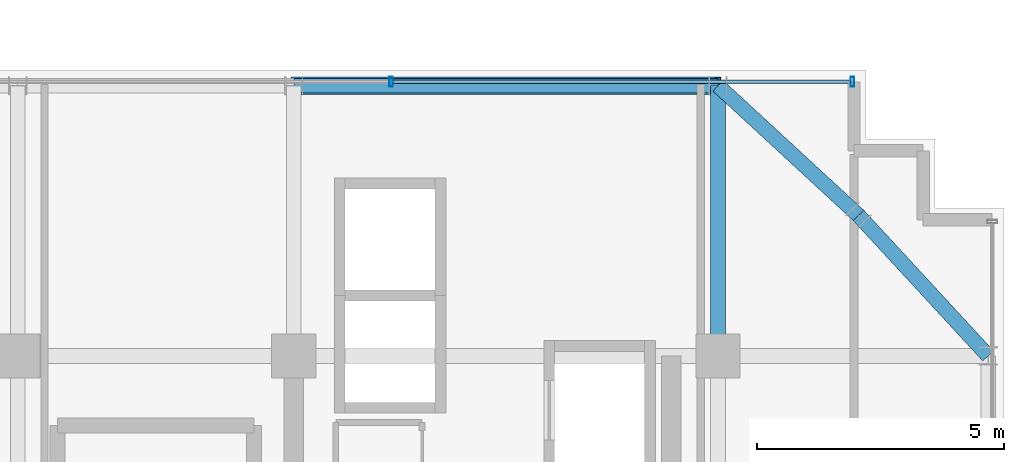
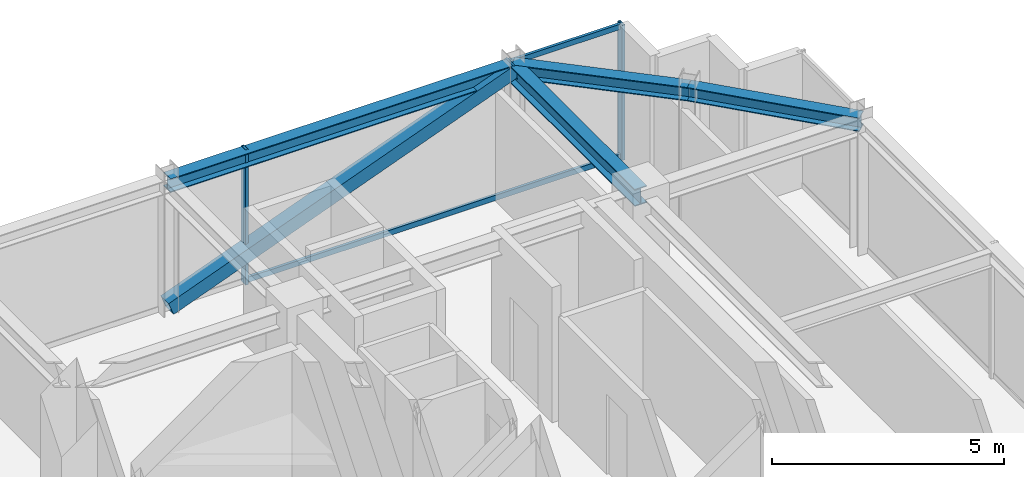
# One storey, part 30 of 41: 5 members, 4 beams, 1 element without a shape of its own.
"""IFC4 building model written with IfcOpenShell, lengths in metres."""

from ifc_helpers import new_model, si_unit, direction, frame, origin, origin_2d, place, context, subcontext, project, spatial, hollow_rectangle, i_section, extrude, source, transform, mapped, material, material_profile, profile_set, type_object, element, aggregate, save


model = new_model("IFC4")

# Units and contexts
model_context = context("Model", 3, precision=1e-05, world=origin(), true_north=direction((0.0, 1.0)))
body_context = subcontext(model_context, "Body", "Model", "MODEL_VIEW")
ifc_project = project(units=[si_unit("LENGTHUNIT", "METRE"), si_unit("AREAUNIT", "SQUARE_METRE"), si_unit("VOLUMEUNIT", "CUBIC_METRE"), si_unit("PLANEANGLEUNIT", "RADIAN"), si_unit("MASSUNIT", "GRAM", prefix="KILO")], contexts=[model_context])

# Site, building, storey
site_placement = place(None, origin())
site = spatial("IfcSite", under=ifc_project, at=site_placement, CompositionType="ELEMENT")
building_placement = place(site_placement, origin())
building = spatial("IfcBuilding", under=site, at=building_placement, Name="Nahalor Promenade Grand Hotel", CompositionType="ELEMENT")
storey_placement = place(building_placement, frame((0.0, 0.0, 304.199951171875)))
storey = spatial("IfcBuildingStorey", under=building, at=storey_placement, Name="L78", CompositionType="ELEMENT", Elevation=304.199951171875)

# Beams
ifc_material_1 = material(Name="Steel S355JR", Category="steel")
ifc_material_profile_1 = material_profile(ifc_material_1, i_section(OverallWidth=0.3, OverallDepth=0.45, WebThickness=0.014, FlangeThickness=0.026, at=origin_2d()), Name="HEB 450")
ifc_profile_set_1 = profile_set([ifc_material_profile_1], Name="Steel S355JR")
beam_type_1 = type_object("IfcBeamType", Name="Beam-Girder-HEB450", PredefinedType="BEAM", material=ifc_profile_set_1)
shared_shape_1 = source(origin(), body_context, "Body", "SweptSolid", [
    extrude(i_section(OverallWidth=0.3, OverallDepth=0.45, WebThickness=0.014, FlangeThickness=0.026, at=origin_2d()), origin(), (0.0, 0.0, 1.0), 5.47998046875),
])
beam_1_placement = place(storey_placement, frame((17.0, 17.0, 3.324951171875), z_axis=(0.0, 1.0, 0.0), x_axis=(-1.0, 0.0, 0.0)))
element("IfcBeam", 1, at=beam_1_placement, inside=storey, type_object=beam_type_1, Name="BM-L78-GY-5-4", PredefinedType="BEAM", context=body_context, shape_type="MappedRepresentation", body=[
    mapped(shared_shape_1, transform((0.0, 0.0, 0.0), scale=1.0)),
])
ifc_material_profile_2 = material_profile(ifc_material_1, i_section(OverallWidth=0.3, OverallDepth=0.36, WebThickness=0.0125, FlangeThickness=0.0225, at=origin_2d()), Name="HEB 360")
ifc_profile_set_2 = profile_set([ifc_material_profile_2], Name="Steel S355JR")
beam_type_2 = type_object("IfcBeamType", Name="Beam-Spandrel-HEB360", PredefinedType="SPANDREL", material=ifc_profile_set_2)
shared_shape_2 = source(origin(), body_context, "Body", "SweptSolid", [
    extrude(i_section(OverallWidth=0.3, OverallDepth=0.36, WebThickness=0.0125, FlangeThickness=0.0225, at=origin_2d()), origin(), (0.0, 0.0, 1.0), 8.60009765625),
])
beam_2_placement = place(storey_placement, frame((8.39990234375, 22.47998046875, 3.3701171875), z_axis=(1.0, 0.0, 0.0), x_axis=(0.0, 1.0, 0.0)))
element("IfcBeam", 2, at=beam_2_placement, inside=storey, type_object=beam_type_2, Name="BM-L78-SP-N-4", PredefinedType="SPANDREL", context=body_context, shape_type="MappedRepresentation", body=[
    mapped(shared_shape_2, transform((0.0, 0.0, 0.0), scale=1.0)),
])
shared_shape_3 = source(origin(), body_context, "Body", "SweptSolid", [
    extrude(i_section(OverallWidth=0.3, OverallDepth=0.36, WebThickness=0.0125, FlangeThickness=0.0225, at=origin_2d()), origin(), (0.0, 0.0, 1.0), 3.878173828125),
])
for number, where, z_axis, x_axis, name in (
    (3, (17.0, 22.47998046875, 3.3701171875), (0.73492893846, -0.678144125843, 0.0), (0.678144125843, 0.73492893846, 0.0), "BM-L78-SPC-NE-1"),
    (4, (19.85009765625, 19.85009765625, 3.3701171875), (0.678144125843, -0.73492893846, 0.0), (0.73492893846, 0.678144125843, 0.0), "BM-L78-SPC-NE-2"),
):
    element("IfcBeam", number, at=place(storey_placement, frame(where, z_axis=z_axis, x_axis=x_axis)), inside=storey, type_object=beam_type_2, Name=name, PredefinedType="SPANDREL", context=body_context, shape_type="MappedRepresentation", body=[
        mapped(shared_shape_3, transform((0.0, 0.0, 0.0), scale=1.0)),
    ])

# Member
ifc_material_profile_3 = material_profile(ifc_material_1, hollow_rectangle(XDim=0.35, YDim=0.35, WallThickness=0.02, at=origin_2d()), Name="SHS 350x350x20")
ifc_profile_set_3 = profile_set([ifc_material_profile_3], Name="Steel S355JR")
member_type_1 = type_object("IfcMemberType", Name="Mem-VoidBrace-SHS350", PredefinedType="BRACE", material=ifc_profile_set_3)
shared_shape_4 = source(origin(), body_context, "Body", "SweptSolid", [
    extrude(hollow_rectangle(XDim=0.35, YDim=0.35, WallThickness=0.02, at=origin_2d()), origin(), (0.0, 0.0, 1.0), 9.193603515625),
])
member_1_placement = place(storey_placement, frame((8.39990234375, 22.47998046875, 0.150146484375), z_axis=(0.935433460247, 0.0, 0.353502816749), x_axis=(0.0, 1.0, 0.0)))
element("IfcMember", 5, at=member_1_placement, inside=storey, type_object=member_type_1, Name="EXO-L78-N-1", PredefinedType="BRACE", context=body_context, shape_type="MappedRepresentation", body=[
    mapped(shared_shape_4, transform((0.0, 0.0, 0.0), scale=1.0)),
])

# Curtain wall, members
ifc_material_2 = material(Name="Anodised Bronze Aluminium EN AW-6063 T6", Category="aluminium")
curtain_wall_type = type_object("IfcCurtainWallType", Name="CW3 Elliptical-Void Collar Unitised Curtain Wall", PredefinedType="USERDEFINED", material=ifc_material_2)
curtain_wall_placement = place(storey_placement, origin())
curtain_wall = element("IfcCurtainWall", 6, at=curtain_wall_placement, inside=storey, type_object=curtain_wall_type, Name="L78 Curtain Wall CW-L78-N-3", ObjectType="UNITISED_CURTAIN_WALL", PredefinedType="USERDEFINED")
ifc_material_profile_4 = material_profile(ifc_material_2, hollow_rectangle(XDim=0.07, YDim=0.14, WallThickness=0.004, at=origin_2d()), Name="CWT 70x140x4")
ifc_profile_set_4 = profile_set([ifc_material_profile_4], Name="Anodised Bronze Aluminium EN AW-6063 T6")
member_type_2 = type_object("IfcMemberType", Name="CWT3 Void Collar Transom 70x140", PredefinedType="USERDEFINED", material=ifc_profile_set_4)
shared_shape_5 = source(origin(), body_context, "Body", "SweptSolid", [
    extrude(hollow_rectangle(XDim=0.07, YDim=0.14, WallThickness=0.004, at=origin_2d()), origin(), (0.0, 0.0, 1.0), 9.281494140625),
])
member_2_placement = place(storey_placement, frame((10.408447265625, 22.56005859375, 0.070068359375), z_axis=(1.0, 0.0, 0.0), x_axis=(0.0, 1.0, 0.0)))
member_2 = element("IfcMember", 7, at=member_2_placement, type_object=member_type_2, Name="CW-L78-N-3 Transom 2-0", ObjectType="TRANSOM", PredefinedType="USERDEFINED", context=body_context, shape_type="MappedRepresentation", body=[
    mapped(shared_shape_5, transform((0.0, 0.0, 0.0), scale=1.0)),
])
member_3_placement = place(storey_placement, frame((10.408447265625, 22.56005859375, 3.47998046875), z_axis=(1.0, 0.0, 0.0), x_axis=(0.0, 1.0, 0.0)))
member_3 = element("IfcMember", 8, at=member_3_placement, type_object=member_type_2, Name="CW-L78-N-3 Transom 2-1", ObjectType="TRANSOM", PredefinedType="USERDEFINED", context=body_context, shape_type="MappedRepresentation", body=[
    mapped(shared_shape_5, transform((0.0, 0.0, 0.0), scale=1.0)),
])
ifc_material_profile_5 = material_profile(ifc_material_2, hollow_rectangle(XDim=0.07, YDim=0.2, WallThickness=0.005, at=origin_2d()), Name="CWM 70x200x5")
ifc_profile_set_5 = profile_set([ifc_material_profile_5], Name="Anodised Bronze Aluminium EN AW-6063 T6")
member_type_3 = type_object("IfcMemberType", Name="CWM3 Void Collar Mullion 70x200", PredefinedType="MULLION", material=ifc_profile_set_5)
shared_shape_6 = source(origin(), body_context, "Body", "SweptSolid", [
    extrude(hollow_rectangle(XDim=0.07, YDim=0.2, WallThickness=0.005, at=origin_2d()), origin(), (0.0, 0.0, 1.0), 3.550048828125),
])
member_4_placement = place(storey_placement, frame((10.373291015625, 22.56005859375, 0.0), z_axis=(0.0, 0.0, 1.0), x_axis=(1.0, 0.0, 0.0)))
member_4 = element("IfcMember", 9, at=member_4_placement, type_object=member_type_3, Name="CW-L78-N-3 Mullion 2", PredefinedType="MULLION", context=body_context, shape_type="MappedRepresentation", body=[
    mapped(shared_shape_6, transform((0.0, 0.0, 0.0), scale=1.0)),
])
member_5_placement = place(storey_placement, frame((19.72509765625, 22.56005859375, 0.0), z_axis=(0.0, 0.0, 1.0), x_axis=(1.0, 0.0, 0.0)))
member_5 = element("IfcMember", 10, at=member_5_placement, type_object=member_type_3, Name="CW-L78-N-3 Mullion 3", PredefinedType="MULLION", context=body_context, shape_type="MappedRepresentation", body=[
    mapped(shared_shape_6, transform((0.0, 0.0, 0.0), scale=1.0)),
])
aggregate(curtain_wall, [member_4, member_5, member_2, member_3])

save(model, "model.ifc")
